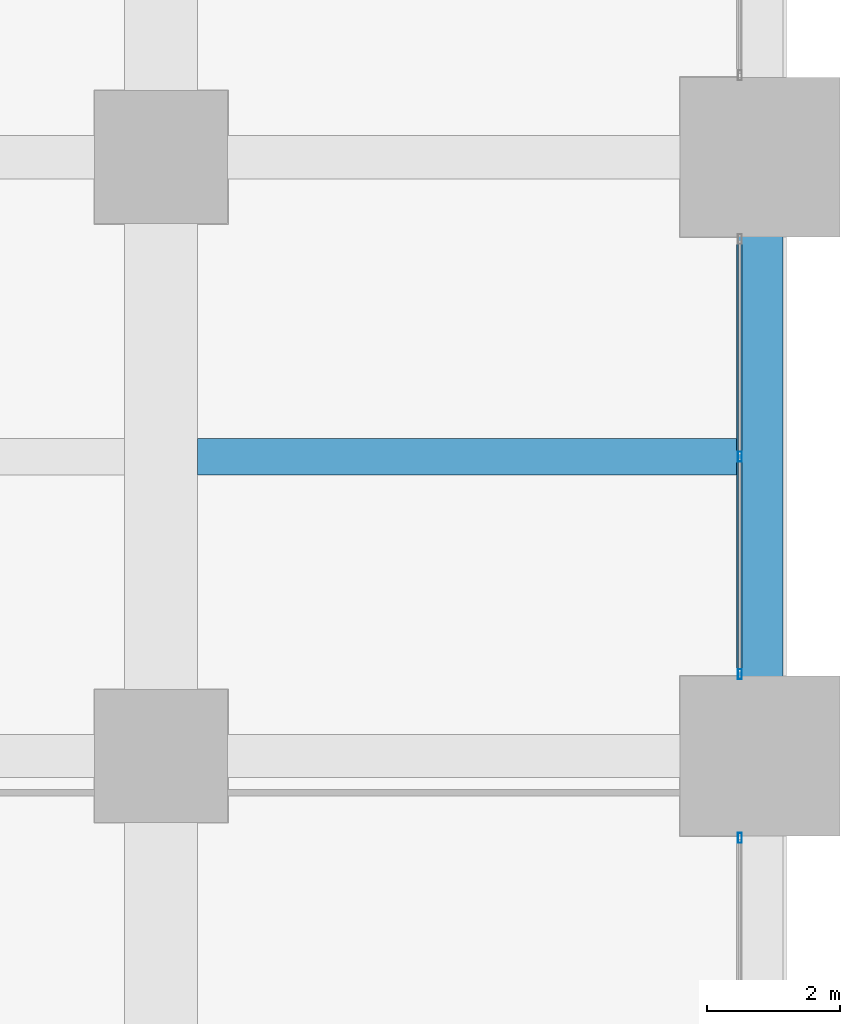
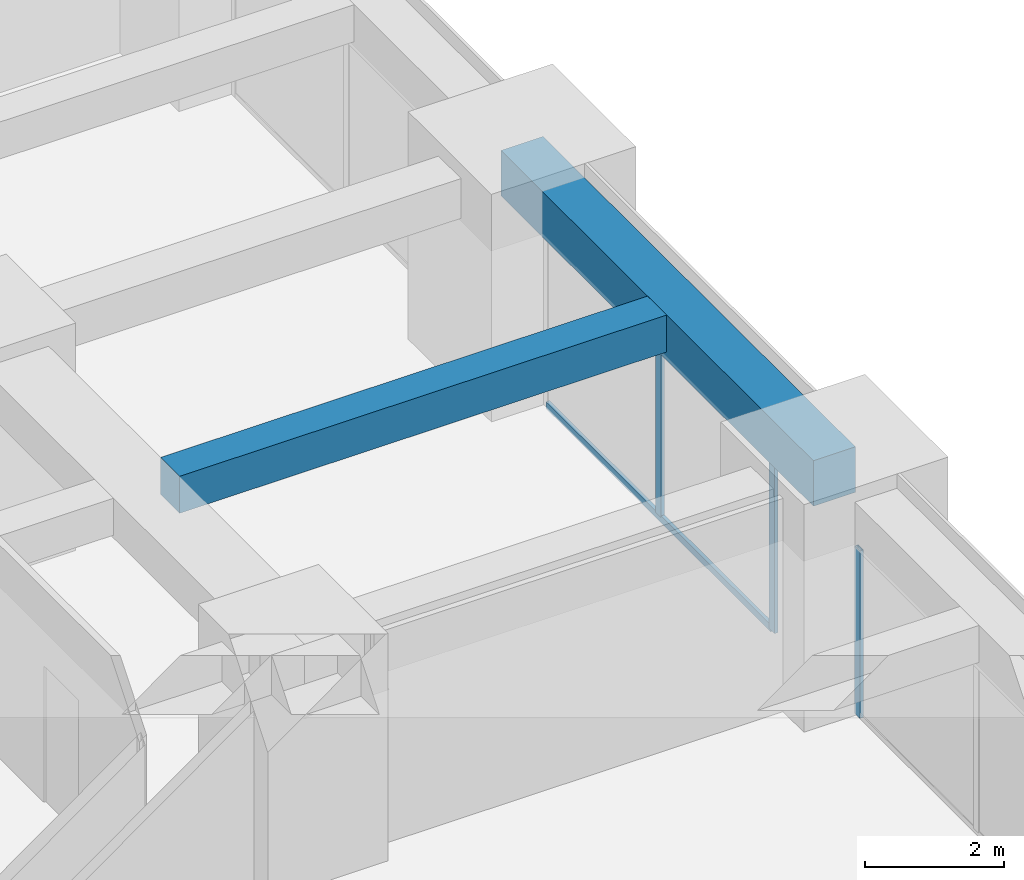
# One storey, part 21 of 41: 4 members, 2 beams, 2 elements without a shape of their own.
"""IFC4 building model written with IfcOpenShell, lengths in metres."""

from ifc_helpers import new_model, si_unit, direction, frame, origin, origin_2d, place, context, subcontext, project, spatial, rectangle, hollow_rectangle, extrude, material, material_profile, profile_set, type_object, element, aggregate, save


model = new_model("IFC4")

# Units and contexts
model_context = context("Model", 3, precision=1e-05, world=origin(), true_north=direction((0.0, 1.0)))
body_context = subcontext(model_context, "Body", "Model", "MODEL_VIEW")
ifc_project = project(units=[si_unit("LENGTHUNIT", "METRE"), si_unit("AREAUNIT", "SQUARE_METRE"), si_unit("VOLUMEUNIT", "CUBIC_METRE"), si_unit("PLANEANGLEUNIT", "RADIAN"), si_unit("MASSUNIT", "GRAM", prefix="KILO")], contexts=[model_context])

# Site, building, storey
site_placement = place(None, origin())
site = spatial("IfcSite", under=ifc_project, at=site_placement, CompositionType="ELEMENT")
building_placement = place(site_placement, origin())
building = spatial("IfcBuilding", under=site, at=building_placement, Name="Zorevar Civic Tower", CompositionType="ELEMENT")
storey_placement = place(building_placement, frame((0.0, 0.0, 101.0)))
storey = spatial("IfcBuildingStorey", under=building, at=storey_placement, Name="L24", CompositionType="ELEMENT", Elevation=101.0)

# Beam
ifc_material_1 = material(Name="Concrete C50/60", Category="concrete")
ifc_material_profile_1 = material_profile(ifc_material_1, rectangle(XDim=0.550048828125, YDim=0.64990234375, at=origin_2d()), Name="RC 550x650")
ifc_profile_set_1 = profile_set([ifc_material_profile_1], Name="Concrete C50/60")
beam_type_1 = type_object("IfcBeamType", Name="Beam RC 550x650", PredefinedType="BEAM", material=ifc_profile_set_1)
beam_1_placement = place(storey_placement, frame((54.550048828125, 22.5, 3.425048828125), z_axis=(1.0, 0.0, 0.0), x_axis=(0.0, 1.0, 0.0)))
element("IfcBeam", 1, at=beam_1_placement, inside=storey, type_object=beam_type_1, Name="Secondary beam L25", PredefinedType="BEAM", context=body_context, shape_type="SweptSolid", body=[
    extrude(rectangle(XDim=0.550048828125, YDim=0.64990234375, at=origin_2d()), origin(), (0.0, 0.0, 1.0), 8.099853515625),
])

# Curtain wall, member
ifc_material_2 = material(Name="Dark grey solar-control glass in black aluminium frame", Category="aluminium")
curtain_wall_type = type_object("IfcCurtainWallType", Name="Curtain wall CW3 mid zone", PredefinedType="NOTDEFINED", material=ifc_material_2)
curtain_wall_1_placement = place(storey_placement, origin())
curtain_wall_1 = element("IfcCurtainWall", 2, at=curtain_wall_1_placement, inside=storey, type_object=curtain_wall_type, Name="CW3 L24", PredefinedType="NOTDEFINED")
ifc_material_3 = material(Name="Aluminium, black anodised", Category="aluminium")
ifc_material_profile_2 = material_profile(ifc_material_3, hollow_rectangle(XDim=0.06005859375, YDim=0.14990234375, WallThickness=0.00390625, at=origin_2d()), Name="AL 150x60x4")
ifc_profile_set_2 = profile_set([ifc_material_profile_2], Name="Aluminium, black anodised")
member_type_1 = type_object("IfcMemberType", Name="CW3 mullion AL 150x60x4", PredefinedType="MULLION", material=ifc_profile_set_2)
member_1_placement = place(storey_placement, frame((62.699951171875, 16.77001953125, 0.0), z_axis=(0.0, 0.0, 1.0), x_axis=(-1.0, 0.0, 0.0)))
member_1 = element("IfcMember", 3, at=member_1_placement, type_object=member_type_1, Name="CW3 mullion 3", PredefinedType="MULLION", context=body_context, shape_type="SweptSolid", body=[
    extrude(hollow_rectangle(XDim=0.06005859375, YDim=0.14990234375, WallThickness=0.00390625, at=origin_2d()), origin(), (0.0, 0.0, 1.0), 2.949951171875),
])
aggregate(curtain_wall_1, [member_1])

# Curtain wall, members
curtain_wall_2_placement = place(storey_placement, origin())
curtain_wall_2 = element("IfcCurtainWall", 4, at=curtain_wall_2_placement, inside=storey, type_object=curtain_wall_type, Name="CW3 L24", PredefinedType="NOTDEFINED")
member_2_placement = place(storey_placement, frame((62.699951171875, 19.22998046875, 0.0), z_axis=(0.0, 0.0, 1.0), x_axis=(-1.0, 0.0, 0.0)))
member_2 = element("IfcMember", 5, at=member_2_placement, type_object=member_type_1, Name="CW3 mullion 1", PredefinedType="MULLION", context=body_context, shape_type="SweptSolid", body=[
    extrude(hollow_rectangle(XDim=0.06005859375, YDim=0.14990234375, WallThickness=0.00390625, at=origin_2d()), origin(), (0.0, 0.0, 1.0), 2.949951171875),
])
member_3_placement = place(storey_placement, frame((62.699951171875, 22.5, 0.06005859375), z_axis=(0.0, 0.0, 1.0), x_axis=(-1.0, 0.0, 0.0)))
member_3 = element("IfcMember", 6, at=member_3_placement, type_object=member_type_1, Name="CW3 mullion 2", PredefinedType="MULLION", context=body_context, shape_type="SweptSolid", body=[
    extrude(hollow_rectangle(XDim=0.06005859375, YDim=0.14990234375, WallThickness=0.00390625, at=origin_2d()), origin(), (0.0, 0.0, 1.0), 2.889892578125),
])
ifc_material_4 = material(Name="Aluminium, black anodised", Category="aluminium")
ifc_material_profile_3 = material_profile(ifc_material_4, hollow_rectangle(XDim=0.06005859375, YDim=0.1201171875, WallThickness=0.0029296875, at=origin_2d()), Name="AL 120x60x3")
ifc_profile_set_3 = profile_set([ifc_material_profile_3], Name="Aluminium, black anodised")
member_type_2 = type_object("IfcMemberType", Name="CW3 transom AL 120x60x3", PredefinedType="USERDEFINED", material=ifc_profile_set_3)
member_4_placement = place(storey_placement, frame((62.699951171875, 19.260009765625, 0.030029296875), z_axis=(0.0, 1.0, 0.0), x_axis=(-1.0, 0.0, 0.0)))
member_4 = element("IfcMember", 7, at=member_4_placement, type_object=member_type_2, Name="CW3 sill transom", ObjectType="TRANSOM", PredefinedType="USERDEFINED", context=body_context, shape_type="SweptSolid", body=[
    extrude(hollow_rectangle(XDim=0.06005859375, YDim=0.1201171875, WallThickness=0.0029296875, at=origin_2d()), origin(), (0.0, 0.0, 1.0), 6.47998046875),
])
aggregate(curtain_wall_2, [member_2, member_3, member_4])

# Beam
ifc_material_5 = material(Name="Concrete C50/60", Category="concrete")
ifc_material_profile_4 = material_profile(ifc_material_5, rectangle(XDim=0.699951171875, YDim=0.800048828125, at=origin_2d()), Name="RC 700x800")
ifc_profile_set_4 = profile_set([ifc_material_profile_4], Name="Concrete C50/60")
beam_type_2 = type_object("IfcBeamType", Name="Edge beam RC 700x800", PredefinedType="SPANDREL", material=ifc_profile_set_4)
beam_2_placement = place(storey_placement, frame((63.0, 18.0, 3.35009765625), z_axis=(0.0, 1.0, 0.0), x_axis=(-1.0, 0.0, 0.0)))
element("IfcBeam", 8, at=beam_2_placement, inside=storey, type_object=beam_type_2, Name="Edge beam L25", PredefinedType="SPANDREL", context=body_context, shape_type="SweptSolid", body=[
    extrude(rectangle(XDim=0.699951171875, YDim=0.800048828125, at=origin_2d()), origin(), (0.0, 0.0, 1.0), 9.0),
])

save(model, "model.ifc")
